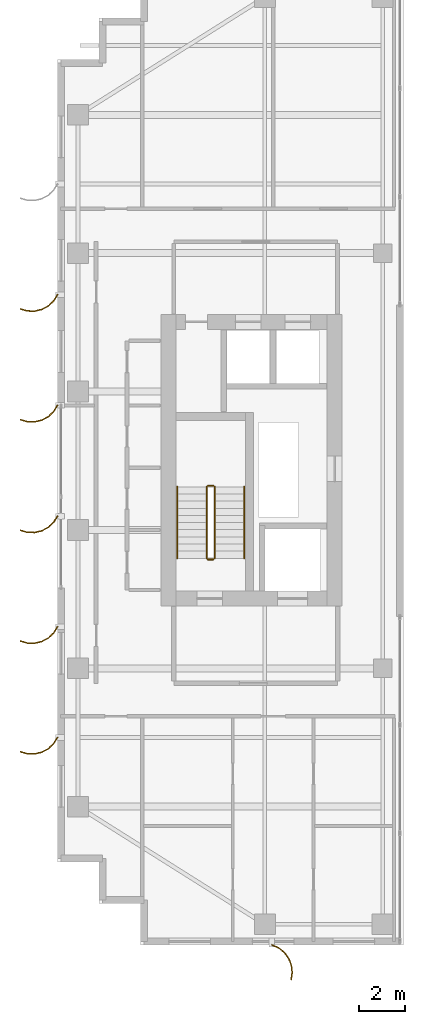
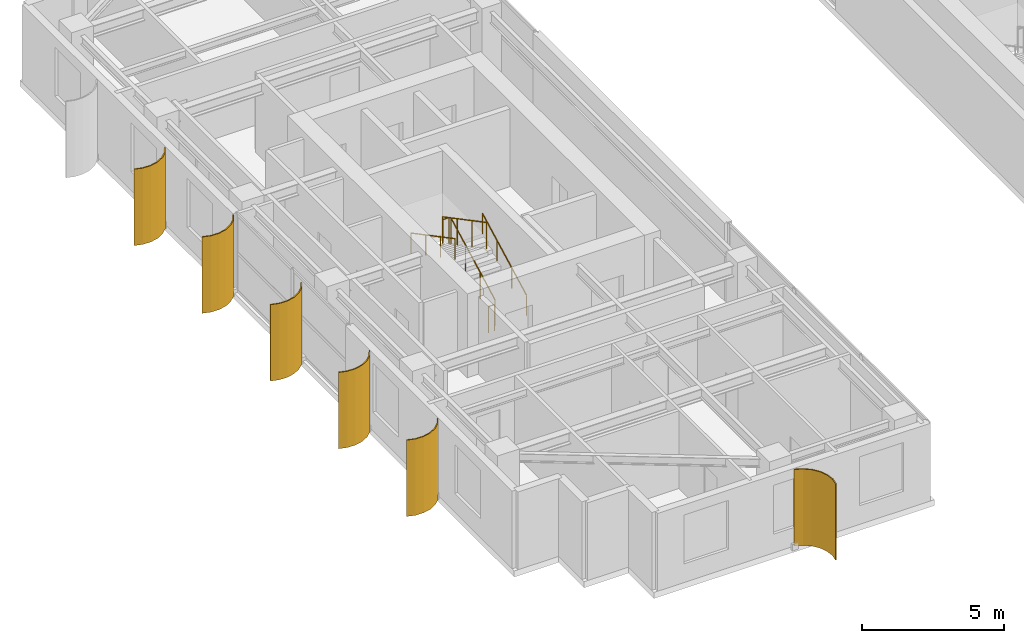
# One storey, part 20 of 22: 6 railings, 6 shading devices.
"""IFC4 building model written with IfcOpenShell, lengths in metres."""

from ifc_helpers import new_model, si_unit, direction, frame, origin, origin_2d, place, context, subcontext, project, spatial, polyline, circle, outline, extrude, source, transform, mapped, material, layer, layer_set, type_object, element, save


model = new_model("IFC4")

# Units and contexts
model_context = context("Model", 3, precision=1e-05, world=origin(), true_north=direction((0.0, 1.0)))
body_context = subcontext(model_context, "Body", "Model", "MODEL_VIEW")
ifc_project = project(units=[si_unit("LENGTHUNIT", "METRE"), si_unit("AREAUNIT", "SQUARE_METRE"), si_unit("VOLUMEUNIT", "CUBIC_METRE"), si_unit("PLANEANGLEUNIT", "RADIAN"), si_unit("MASSUNIT", "GRAM", prefix="KILO")], contexts=[model_context])

# Site, building, storey
site_placement = place(None, origin())
site = spatial("IfcSite", under=ifc_project, at=site_placement, CompositionType="ELEMENT")
building_placement = place(site_placement, origin())
building = spatial("IfcBuilding", under=site, at=building_placement, Name="Khoralis Quay Care Tower", CompositionType="ELEMENT")
storey_placement = place(building_placement, frame((0.0, 0.0, 209.699951171875)))
storey = spatial("IfcBuildingStorey", under=building, at=storey_placement, Name="L55", CompositionType="ELEMENT", Elevation=209.699951171875)

# Railings
ifc_material_1 = material(Name="Brushed stainless steel", Category="steel")
railing_type_1 = type_object("IfcRailingType", Name="RL-GUARD-1150", PredefinedType="GUARDRAIL", material=ifc_material_1)
railing_1_placement = place(storey_placement, frame((9.820068359375, 16.77001953125, 0.16357421875)))
element("IfcRailing", 1, at=railing_1_placement, inside=storey, type_object=railing_type_1, Name="L55 ST-T1 stair guard 1", PredefinedType="GUARDRAIL", context=body_context, shape_type="SweptSolid", body=[
    extrude(circle(Radius=0.02392578125, at=origin_2d()), frame((0.0, 0.0, 1.1259765625), z_axis=(0.0, 0.884348015382, 0.466828220752), x_axis=(-1.0, 0.0, 0.0)), (0.0, 0.0, 1.0), 3.505615234375),
    extrude(circle(Radius=0.02099609375, at=origin_2d()), origin(), (0.0, 0.0, 1.0), 1.101806640625),
    extrude(circle(Radius=0.02099609375, at=origin_2d()), frame((0.0, 1.033447265625, 0.54541015625)), (0.0, 0.0, 1.0), 1.101806640625),
    extrude(circle(Radius=0.02099609375, at=origin_2d()), frame((0.0, 2.066650390625, 1.091064453125)), (0.0, 0.0, 1.0), 1.101806640625),
    extrude(circle(Radius=0.02099609375, at=origin_2d()), frame((0.0, 3.10009765625, 1.636474609375)), (0.0, 0.0, 1.0), 1.101806640625),
])
railing_2_placement = place(storey_placement, frame((9.77001953125, 19.919921875, 1.800048828125)))
element("IfcRailing", 2, at=railing_2_placement, inside=storey, type_object=railing_type_1, Name="L55 ST-T1 stair guard 2", PredefinedType="GUARDRAIL", context=body_context, shape_type="SweptSolid", body=[
    extrude(circle(Radius=0.02392578125, at=origin_2d()), frame((0.0, 0.0, 1.1259765625), z_axis=(-1.0, 0.0, 0.0), x_axis=(0.0, -1.0, 0.0)), (0.0, 0.0, 1.0), 0.239990234375),
    extrude(circle(Radius=0.02099609375, at=origin_2d()), origin(), (0.0, 0.0, 1.0), 1.101806640625),
    extrude(circle(Radius=0.02099609375, at=origin_2d()), frame((-0.239990234375, 0.0, 0.0)), (0.0, 0.0, 1.0), 1.101806640625),
])
railing_3_placement = place(storey_placement, frame((9.47998046875, 19.8701171875, 1.963623046875)))
element("IfcRailing", 3, at=railing_3_placement, inside=storey, type_object=railing_type_1, Name="L55 ST-T1 stair guard 3", PredefinedType="GUARDRAIL", context=body_context, shape_type="SweptSolid", body=[
    extrude(circle(Radius=0.02392578125, at=origin_2d()), frame((0.0, 0.0, 1.1259765625), z_axis=(0.0, -0.884348015382, 0.466828220752), x_axis=(1.0, 0.0, 0.0)), (0.0, 0.0, 1.0), 3.505615234375),
    extrude(circle(Radius=0.02099609375, at=origin_2d()), origin(), (0.0, 0.0, 1.0), 1.101806640625),
    extrude(circle(Radius=0.02099609375, at=origin_2d()), frame((0.0, -1.033447265625, 0.54541015625)), (0.0, 0.0, 1.0), 1.101806640625),
    extrude(circle(Radius=0.02099609375, at=origin_2d()), frame((0.0, -2.066650390625, 1.091064453125)), (0.0, 0.0, 1.0), 1.101806640625),
    extrude(circle(Radius=0.02099609375, at=origin_2d()), frame((0.0, -3.10009765625, 1.636474609375)), (0.0, 0.0, 1.0), 1.101806640625),
])
railing_4_placement = place(storey_placement, frame((9.77001953125, 16.719970703125, 0.0)))
element("IfcRailing", 4, at=railing_4_placement, inside=storey, type_object=railing_type_1, Name="L55 ST-T1 stair guard 4", PredefinedType="GUARDRAIL", context=body_context, shape_type="SweptSolid", body=[
    extrude(circle(Radius=0.02392578125, at=origin_2d()), frame((0.0, 0.0, 1.1259765625), z_axis=(-1.0, 0.0, 0.0), x_axis=(0.0, -1.0, 0.0)), (0.0, 0.0, 1.0), 0.239990234375),
    extrude(circle(Radius=0.02099609375, at=origin_2d()), origin(), (0.0, 0.0, 1.0), 1.101806640625),
    extrude(circle(Radius=0.02099609375, at=origin_2d()), frame((-0.239990234375, 0.0, 0.0)), (0.0, 0.0, 1.0), 1.101806640625),
])
railing_type_2 = type_object("IfcRailingType", Name="RL-HAND-900", PredefinedType="HANDRAIL", material=ifc_material_1)
railing_5_placement = place(storey_placement, frame((11.10009765625, 16.77001953125, 0.16357421875)))
element("IfcRailing", 5, at=railing_5_placement, inside=storey, type_object=railing_type_2, Name="L55 ST-T1 stair handrail 1", PredefinedType="HANDRAIL", context=body_context, shape_type="SweptSolid", body=[
    extrude(circle(Radius=0.02392578125, at=origin_2d()), frame((0.0, 0.0, 0.8759765625), z_axis=(0.0, 0.884348015382, 0.466828220752), x_axis=(-1.0, 0.0, 0.0)), (0.0, 0.0, 1.0), 3.505615234375),
    extrude(circle(Radius=0.02099609375, at=origin_2d()), origin(), (0.0, 0.0, 1.0), 0.851806640625),
    extrude(circle(Radius=0.02099609375, at=origin_2d()), frame((0.0, 1.033447265625, 0.54541015625)), (0.0, 0.0, 1.0), 0.851806640625),
    extrude(circle(Radius=0.02099609375, at=origin_2d()), frame((0.0, 2.066650390625, 1.091064453125)), (0.0, 0.0, 1.0), 0.851806640625),
    extrude(circle(Radius=0.02099609375, at=origin_2d()), frame((0.0, 3.10009765625, 1.636474609375)), (0.0, 0.0, 1.0), 0.851806640625),
])
railing_6_placement = place(storey_placement, frame((8.199951171875, 19.8701171875, 1.963623046875)))
element("IfcRailing", 6, at=railing_6_placement, inside=storey, type_object=railing_type_2, Name="L55 ST-T1 stair handrail 2", PredefinedType="HANDRAIL", context=body_context, shape_type="SweptSolid", body=[
    extrude(circle(Radius=0.02392578125, at=origin_2d()), frame((0.0, 0.0, 0.8759765625), z_axis=(0.0, -0.884348015382, 0.466828220752), x_axis=(1.0, 0.0, 0.0)), (0.0, 0.0, 1.0), 3.505615234375),
    extrude(circle(Radius=0.02099609375, at=origin_2d()), origin(), (0.0, 0.0, 1.0), 0.851806640625),
    extrude(circle(Radius=0.02099609375, at=origin_2d()), frame((0.0, -1.033447265625, 0.54541015625)), (0.0, 0.0, 1.0), 0.851806640625),
    extrude(circle(Radius=0.02099609375, at=origin_2d()), frame((0.0, -2.066650390625, 1.091064453125)), (0.0, 0.0, 1.0), 0.851806640625),
    extrude(circle(Radius=0.02099609375, at=origin_2d()), frame((0.0, -3.10009765625, 1.636474609375)), (0.0, 0.0, 1.0), 0.851806640625),
])

# Shading devices
ifc_material_2 = material(Name="Brushed pale anodised aluminium", Category="aluminium")
ifc_layer = layer(ifc_material_2, 0.044921875)
ifc_layer_set = layer_set([ifc_layer], Name="Brushed pale anodised aluminium")
shading_device_type = type_object("IfcShadingDeviceType", Name="SHD-FIN-1250", PredefinedType="USERDEFINED", material=ifc_layer_set)
shared_shape_1 = source(origin(), body_context, "Body", "SweptSolid", [
    extrude(outline(polyline([(0.0, 0.0), (0.17041015625, 0.2783203125), (0.4072265625, 0.5029296875), (0.694091796875, 0.658447265625), (1.01123046875, 0.734619140625), (1.33740234375, 0.72607421875), (1.650390625, 0.633544921875), (1.632080078125, 0.59228515625), (1.330322265625, 0.681640625), (1.015869140625, 0.68994140625), (0.710205078125, 0.616455078125), (0.43359375, 0.466552734375), (0.20556640625, 0.25), (0.041015625, -0.018310546875), (0.0, 0.0)])), origin(), (0.0, 0.0, 1.0), 3.280029296875),
])
for number, where, z_axis, x_axis, name in (
    (7, (3.030029296875, 28.199951171875, 0.02001953125), (0.0, 0.0, 1.0), (-1.0, 0.0, 0.0), "L55 Curved Solar Fin P1E7-02"),
    (8, (3.030029296875, 23.39990234375, 0.02001953125), (0.0, 0.0, 1.0), (-1.0, 0.0, 0.0), "L55 Curved Solar Fin P1E7-03"),
    (9, (3.030029296875, 18.60009765625, 0.02001953125), (0.0, 0.0, 1.0), (-1.0, 0.0, 0.0), "L55 Curved Solar Fin P1E7-04"),
    (10, (3.030029296875, 13.800048828125, 0.02001953125), (0.0, 0.0, 1.0), (-1.0, 0.0, 0.0), "L55 Curved Solar Fin P1E7-05"),
    (11, (3.030029296875, 9.0, 0.02001953125), (0.0, 0.0, 1.0), (-1.0, 0.0, 0.0), "L55 Curved Solar Fin P1E7-06"),
):
    element("IfcShadingDevice", number, at=place(storey_placement, frame(where, z_axis=z_axis, x_axis=x_axis)), inside=storey, type_object=shading_device_type, Name=name, ObjectType="FIN", PredefinedType="USERDEFINED", context=body_context, shape_type="MappedRepresentation", body=[
        mapped(shared_shape_1, transform((0.0, 0.0, 0.0), scale=1.0)),
    ])
shared_shape_2 = source(origin(), body_context, "Body", "SweptSolid", [
    extrude(outline(polyline([(0.0, 0.0), (0.130126953125, 0.29931640625), (0.333251953125, 0.5546875), (0.595458984375, 0.748779296875), (0.899169921875, 0.868408203125), (1.223388671875, 0.9052734375), (1.546142578125, 0.85693359375), (1.53369140625, 0.813720703125), (1.22265625, 0.8603515625), (0.91015625, 0.82470703125), (0.617431640625, 0.70947265625), (0.364501953125, 0.522216796875), (0.168701171875, 0.276123046875), (0.043212890625, -0.012451171875), (0.0, 0.0)])), origin(), (0.0, 0.0, 1.0), 3.280029296875),
])
shading_device_placement = place(storey_placement, frame((12.300048828125, 0.030029296875, 0.02001953125), z_axis=(0.0, 0.0, 1.0), x_axis=(0.0, -1.0, 0.0)))
element("IfcShadingDevice", 12, at=shading_device_placement, inside=storey, type_object=shading_device_type, Name="L55 Curved Solar Fin P1E0-01", ObjectType="FIN", PredefinedType="USERDEFINED", context=body_context, shape_type="MappedRepresentation", body=[
    mapped(shared_shape_2, transform((0.0, 0.0, 0.0), scale=1.0)),
])

save(model, "model.ifc")
